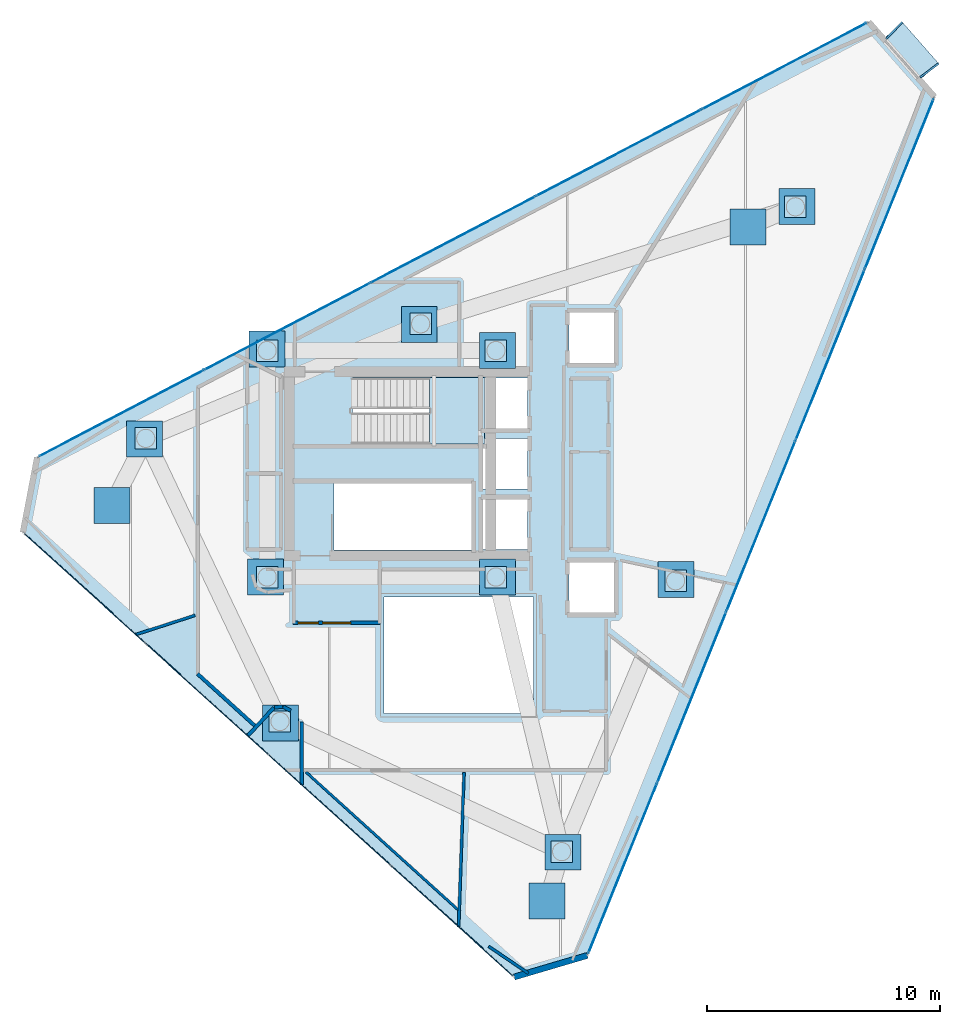
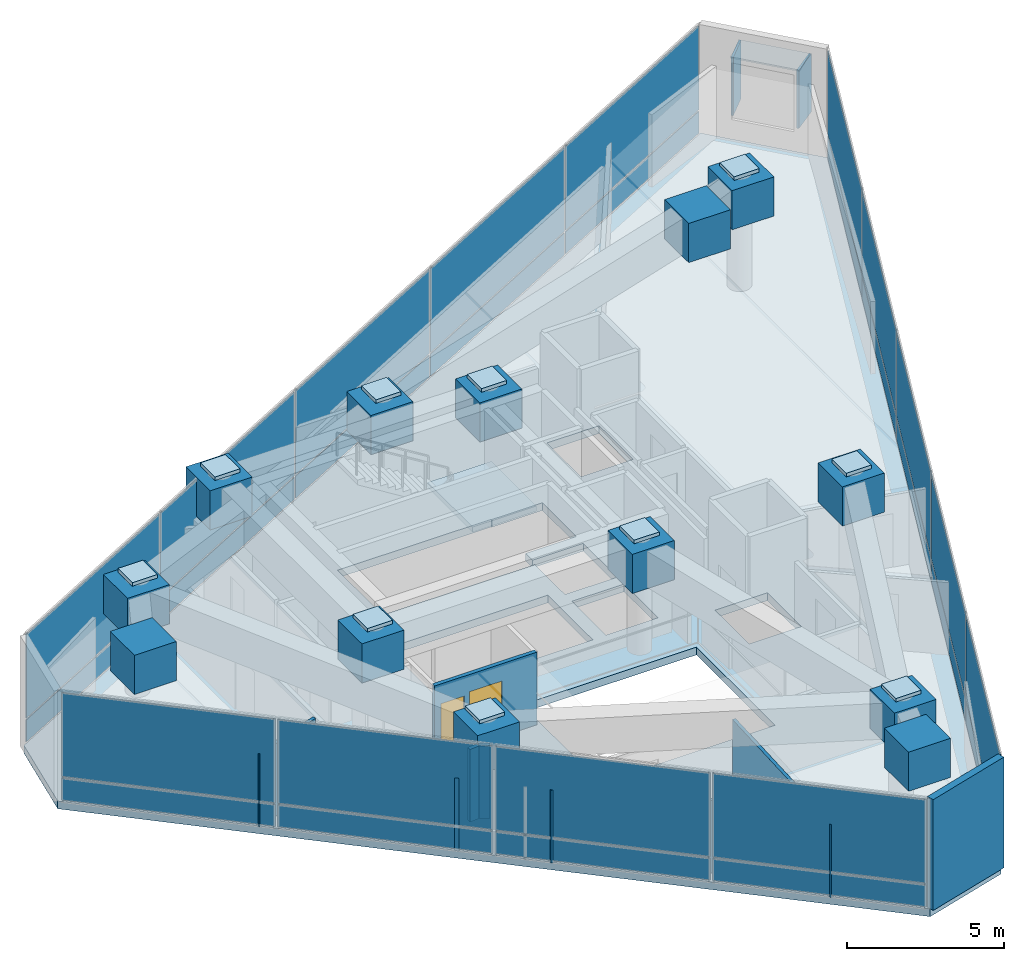
# One storey, part 13 of 17: 54 plates, 11 walls, 2 doors, 2 slabs, 2 openings, 4 elements without a shape of their own.
"""IFC4 building model written with IfcOpenShell, lengths in metres."""

from ifc_helpers import new_model, si_unit, direction, frame, frame_2d, origin, origin_2d, place, context, subcontext, project, spatial, polyline, rectangle, outline, extrude, material, layer, layer_set, type_object, element, fill, aggregate, save


model = new_model("IFC4")

# Units and contexts
model_context = context("Model", 3, precision=1e-05, world=origin(), true_north=direction((0.0, 1.0)))
body_context = subcontext(model_context, "Body", "Model", "MODEL_VIEW")
ifc_project = project(units=[si_unit("LENGTHUNIT", "METRE"), si_unit("AREAUNIT", "SQUARE_METRE"), si_unit("VOLUMEUNIT", "CUBIC_METRE"), si_unit("PLANEANGLEUNIT", "RADIAN"), si_unit("MASSUNIT", "GRAM", prefix="KILO")], contexts=[model_context])

# Site, building, storey
site_placement = place(None, origin())
site = spatial("IfcSite", under=ifc_project, at=site_placement, CompositionType="ELEMENT")
building_placement = place(site_placement, origin())
building = spatial("IfcBuilding", under=site, at=building_placement, Name="Qianvela Tower", CompositionType="ELEMENT")
storey_placement = place(building_placement, frame((0.0, 0.0, 351.800048828125)))
storey = spatial("IfcBuildingStorey", under=building, at=storey_placement, Name="L91", CompositionType="ELEMENT", Elevation=351.800048828125)

# Curtain wall, plates
ifc_material_1 = material(Name="Anodised Architectural Aluminium and Low-E Glass", Category="aluminium")
ifc_layer_1 = layer(ifc_material_1, 0.18994140625)
ifc_layer_set_1 = layer_set([ifc_layer_1], Name="Anodised Architectural Aluminium and Low-E Glass")
curtain_wall_type = type_object("IfcCurtainWallType", Name="CW-SKYLOBBY", PredefinedType="USERDEFINED", material=ifc_layer_set_1)
curtain_wall_1_placement = place(storey_placement, origin())
curtain_wall_1 = element("IfcCurtainWall", 1, at=curtain_wall_1_placement, inside=storey, type_object=curtain_wall_type, Name="L91 CW-SKYLOBBY Curtain Wall 02", ObjectType="CURTAIN_WALL_SYSTEM", PredefinedType="USERDEFINED")
ifc_material_2 = material(Name="Double-Silver Low-E Insulated Glass", Category="glass")
ifc_layer_2 = layer(ifc_material_2, 0.033935546875)
ifc_layer_set_2 = layer_set([ifc_layer_2], Name="Double-Silver Low-E Insulated Glass")
plate_type_1 = type_object("IfcPlateType", Name="CW-SKYLOBBY-PNL", PredefinedType="CURTAIN_PANEL", material=ifc_layer_set_2)
plate_1_placement = place(storey_placement, frame((50.752197265625, 45.732177734375, 0.06494140625), z_axis=(0.0, 0.0, 1.0), x_axis=(-0.885892835953, -0.463889947302, 0.0)))
plate_1 = element("IfcPlate", 2, at=plate_1_placement, type_object=plate_type_1, Name="CW-7 panel 1.1", PredefinedType="CURTAIN_PANEL", context=body_context, shape_type="SweptSolid", body=[
    extrude(rectangle(XDim=7.91455078125, YDim=0.033935546875, at=origin_2d()), origin(), (0.0, 0.0, 1.0), 0.8525390625),
])
plate_2_placement = place(storey_placement, frame((50.752197265625, 45.732177734375, 0.982421875), z_axis=(0.0, 0.0, 1.0), x_axis=(-0.885892835953, -0.463889947302, 0.0)))
plate_2 = element("IfcPlate", 3, at=plate_2_placement, type_object=plate_type_1, Name="CW-7 panel 1.2", PredefinedType="CURTAIN_PANEL", context=body_context, shape_type="SweptSolid", body=[
    extrude(rectangle(XDim=7.91455078125, YDim=0.033935546875, at=origin_2d()), origin(), (0.0, 0.0, 1.0), 3.25244140625),
])
plate_3_placement = place(storey_placement, frame((43.6630859375, 42.02001953125, 0.06494140625), z_axis=(0.0, 0.0, 1.0), x_axis=(-0.885892835953, -0.463889947302, 0.0)))
plate_3 = element("IfcPlate", 4, at=plate_3_placement, type_object=plate_type_1, Name="CW-7 panel 2.1", PredefinedType="CURTAIN_PANEL", context=body_context, shape_type="SweptSolid", body=[
    extrude(rectangle(XDim=7.94970703125, YDim=0.033935546875, at=origin_2d()), origin(), (0.0, 0.0, 1.0), 0.8525390625),
])
plate_4_placement = place(storey_placement, frame((43.6630859375, 42.02001953125, 0.982421875), z_axis=(0.0, 0.0, 1.0), x_axis=(-0.885892835953, -0.463889947302, 0.0)))
plate_4 = element("IfcPlate", 5, at=plate_4_placement, type_object=plate_type_1, Name="CW-7 panel 2.2", PredefinedType="CURTAIN_PANEL", context=body_context, shape_type="SweptSolid", body=[
    extrude(rectangle(XDim=7.94970703125, YDim=0.033935546875, at=origin_2d()), origin(), (0.0, 0.0, 1.0), 3.25244140625),
])
plate_5_placement = place(storey_placement, frame((36.55859375, 38.2998046875, 0.06494140625), z_axis=(0.0, 0.0, 1.0), x_axis=(-0.885892835953, -0.463889947302, 0.0)))
plate_5 = element("IfcPlate", 6, at=plate_5_placement, type_object=plate_type_1, Name="CW-7 panel 3.1", PredefinedType="CURTAIN_PANEL", context=body_context, shape_type="SweptSolid", body=[
    extrude(rectangle(XDim=7.94970703125, YDim=0.033935546875, at=origin_2d()), origin(), (0.0, 0.0, 1.0), 0.8525390625),
])
plate_6_placement = place(storey_placement, frame((36.55859375, 38.2998046875, 0.982421875), z_axis=(0.0, 0.0, 1.0), x_axis=(-0.885892835953, -0.463889947302, 0.0)))
plate_6 = element("IfcPlate", 7, at=plate_6_placement, type_object=plate_type_1, Name="CW-7 panel 3.2", PredefinedType="CURTAIN_PANEL", context=body_context, shape_type="SweptSolid", body=[
    extrude(rectangle(XDim=7.94970703125, YDim=0.033935546875, at=origin_2d()), origin(), (0.0, 0.0, 1.0), 3.25244140625),
])
plate_7_placement = place(storey_placement, frame((29.453857421875, 34.579345703125, 0.06494140625), z_axis=(0.0, 0.0, 1.0), x_axis=(-0.885892835953, -0.463889947302, 0.0)))
plate_7 = element("IfcPlate", 8, at=plate_7_placement, type_object=plate_type_1, Name="CW-7 panel 4.1", PredefinedType="CURTAIN_PANEL", context=body_context, shape_type="SweptSolid", body=[
    extrude(rectangle(XDim=7.94970703125, YDim=0.033935546875, at=origin_2d()), origin(), (0.0, 0.0, 1.0), 0.8525390625),
])
plate_8_placement = place(storey_placement, frame((29.453857421875, 34.579345703125, 0.982421875), z_axis=(0.0, 0.0, 1.0), x_axis=(-0.885892835953, -0.463889947302, 0.0)))
plate_8 = element("IfcPlate", 9, at=plate_8_placement, type_object=plate_type_1, Name="CW-7 panel 4.2", PredefinedType="CURTAIN_PANEL", context=body_context, shape_type="SweptSolid", body=[
    extrude(rectangle(XDim=7.94970703125, YDim=0.033935546875, at=origin_2d()), origin(), (0.0, 0.0, 1.0), 3.25244140625),
])
plate_9_placement = place(storey_placement, frame((22.364990234375, 30.867431640625, 0.06494140625), z_axis=(0.0, 0.0, 1.0), x_axis=(-0.885892835953, -0.463889947302, 0.0)))
plate_9 = element("IfcPlate", 10, at=plate_9_placement, type_object=plate_type_1, Name="CW-7 panel 5.1", PredefinedType="CURTAIN_PANEL", context=body_context, shape_type="SweptSolid", body=[
    extrude(rectangle(XDim=7.91455078125, YDim=0.033935546875, at=origin_2d()), origin(), (0.0, 0.0, 1.0), 0.8525390625),
])
plate_10_placement = place(storey_placement, frame((22.364990234375, 30.867431640625, 0.982421875), z_axis=(0.0, 0.0, 1.0), x_axis=(-0.885892835953, -0.463889947302, 0.0)))
plate_10 = element("IfcPlate", 11, at=plate_10_placement, type_object=plate_type_1, Name="CW-7 panel 5.2", PredefinedType="CURTAIN_PANEL", context=body_context, shape_type="SweptSolid", body=[
    extrude(rectangle(XDim=7.91455078125, YDim=0.033935546875, at=origin_2d()), origin(), (0.0, 0.0, 1.0), 3.25244140625),
])
aggregate(curtain_wall_1, [plate_1, plate_2, plate_3, plate_4, plate_5, plate_6, plate_7, plate_8, plate_9, plate_10])

curtain_wall_2_placement = place(storey_placement, origin())
curtain_wall_2 = element("IfcCurtainWall", 12, at=curtain_wall_2_placement, inside=storey, type_object=curtain_wall_type, Name="L91 CW-SKYLOBBY Curtain Wall 04", ObjectType="CURTAIN_WALL_SYSTEM", PredefinedType="USERDEFINED")
plate_11_placement = place(storey_placement, frame((20.812744140625, 23.34716796875, 0.06494140625), z_axis=(0.0, 0.0, 1.0), x_axis=(0.741273472885, -0.671203127523, 0.0)))
plate_11 = element("IfcPlate", 13, at=plate_11_placement, type_object=plate_type_1, Name="CW-7 panel 1.1", PredefinedType="CURTAIN_PANEL", context=body_context, shape_type="SweptSolid", body=[
    extrude(rectangle(XDim=6.966064453125, YDim=0.033935546875, at=origin_2d()), origin(), (0.0, 0.0, 1.0), 0.8525390625),
])
plate_12_placement = place(storey_placement, frame((20.812744140625, 23.34716796875, 0.982421875), z_axis=(0.0, 0.0, 1.0), x_axis=(0.741273472885, -0.671203127523, 0.0)))
plate_12 = element("IfcPlate", 14, at=plate_12_placement, type_object=plate_type_1, Name="CW-7 panel 1.2", PredefinedType="CURTAIN_PANEL", context=body_context, shape_type="SweptSolid", body=[
    extrude(rectangle(XDim=6.966064453125, YDim=0.033935546875, at=origin_2d()), origin(), (0.0, 0.0, 1.0), 3.25244140625),
])
plate_13_placement = place(storey_placement, frame((26.04150390625, 18.61279296875, 0.06494140625), z_axis=(0.0, 0.0, 1.0), x_axis=(0.741273472885, -0.671203127523, 0.0)))
plate_13 = element("IfcPlate", 15, at=plate_13_placement, type_object=plate_type_1, Name="CW-7 panel 2.1", PredefinedType="CURTAIN_PANEL", context=body_context, shape_type="SweptSolid", body=[
    extrude(rectangle(XDim=7.001220703125, YDim=0.033935546875, at=origin_2d()), origin(), (0.0, 0.0, 1.0), 0.8525390625),
])
plate_14_placement = place(storey_placement, frame((26.04150390625, 18.61279296875, 0.982421875), z_axis=(0.0, 0.0, 1.0), x_axis=(0.741273472885, -0.671203127523, 0.0)))
plate_14 = element("IfcPlate", 16, at=plate_14_placement, type_object=plate_type_1, Name="CW-7 panel 2.2", PredefinedType="CURTAIN_PANEL", context=body_context, shape_type="SweptSolid", body=[
    extrude(rectangle(XDim=7.001220703125, YDim=0.033935546875, at=origin_2d()), origin(), (0.0, 0.0, 1.0), 3.25244140625),
])
plate_15_placement = place(storey_placement, frame((31.282958984375, 13.86669921875, 0.06494140625), z_axis=(0.0, 0.0, 1.0), x_axis=(0.741273472885, -0.671203127523, 0.0)))
plate_15 = element("IfcPlate", 17, at=plate_15_placement, type_object=plate_type_1, Name="CW-7 panel 3.1", PredefinedType="CURTAIN_PANEL", context=body_context, shape_type="SweptSolid", body=[
    extrude(rectangle(XDim=7.001220703125, YDim=0.033935546875, at=origin_2d()), origin(), (0.0, 0.0, 1.0), 0.8525390625),
])
plate_16_placement = place(storey_placement, frame((31.282958984375, 13.86669921875, 0.982421875), z_axis=(0.0, 0.0, 1.0), x_axis=(0.741273472885, -0.671203127523, 0.0)))
plate_16 = element("IfcPlate", 18, at=plate_16_placement, type_object=plate_type_1, Name="CW-7 panel 3.2", PredefinedType="CURTAIN_PANEL", context=body_context, shape_type="SweptSolid", body=[
    extrude(rectangle(XDim=7.001220703125, YDim=0.033935546875, at=origin_2d()), origin(), (0.0, 0.0, 1.0), 3.25244140625),
])
plate_17_placement = place(storey_placement, frame((36.51171875, 9.13232421875, 0.06494140625), z_axis=(0.0, 0.0, 1.0), x_axis=(0.741273472885, -0.671203127523, 0.0)))
plate_17 = element("IfcPlate", 19, at=plate_17_placement, type_object=plate_type_1, Name="CW-7 panel 4.1", PredefinedType="CURTAIN_PANEL", context=body_context, shape_type="SweptSolid", body=[
    extrude(rectangle(XDim=6.966064453125, YDim=0.033935546875, at=origin_2d()), origin(), (0.0, 0.0, 1.0), 0.8525390625),
])
plate_18_placement = place(storey_placement, frame((36.51171875, 9.13232421875, 0.982421875), z_axis=(0.0, 0.0, 1.0), x_axis=(0.741273472885, -0.671203127523, 0.0)))
plate_18 = element("IfcPlate", 20, at=plate_18_placement, type_object=plate_type_1, Name="CW-7 panel 4.2", PredefinedType="CURTAIN_PANEL", context=body_context, shape_type="SweptSolid", body=[
    extrude(rectangle(XDim=6.966064453125, YDim=0.033935546875, at=origin_2d()), origin(), (0.0, 0.0, 1.0), 3.25244140625),
])
aggregate(curtain_wall_2, [plate_11, plate_12, plate_13, plate_14, plate_15, plate_16, plate_17, plate_18])

curtain_wall_3_placement = place(storey_placement, origin())
curtain_wall_3 = element("IfcCurtainWall", 21, at=curtain_wall_3_placement, inside=storey, type_object=curtain_wall_type, Name="L91 CW-SKYLOBBY Curtain Wall 06", ObjectType="CURTAIN_WALL_SYSTEM", PredefinedType="USERDEFINED")
plate_19_placement = place(storey_placement, frame((43.8251953125, 11.370361328125, 0.06494140625), z_axis=(0.0, 0.0, 1.0), x_axis=(0.374834470756, 0.927091753568, 0.0)))
plate_19 = element("IfcPlate", 22, at=plate_19_placement, type_object=plate_type_1, Name="CW-7 panel 1.1", PredefinedType="CURTAIN_PANEL", context=body_context, shape_type="SweptSolid", body=[
    extrude(rectangle(XDim=7.808349609375, YDim=0.033935546875, at=origin_2d()), origin(), (0.0, 0.0, 1.0), 0.8525390625),
])
plate_20_placement = place(storey_placement, frame((43.8251953125, 11.370361328125, 0.982421875), z_axis=(0.0, 0.0, 1.0), x_axis=(0.374834470756, 0.927091753568, 0.0)))
plate_20 = element("IfcPlate", 23, at=plate_20_placement, type_object=plate_type_1, Name="CW-7 panel 1.2", PredefinedType="CURTAIN_PANEL", context=body_context, shape_type="SweptSolid", body=[
    extrude(rectangle(XDim=7.808349609375, YDim=0.033935546875, at=origin_2d()), origin(), (0.0, 0.0, 1.0), 3.25244140625),
])
plate_21_placement = place(storey_placement, frame((46.784912109375, 18.6904296875, 0.06494140625), z_axis=(0.0, 0.0, 1.0), x_axis=(0.374834470756, 0.927091753568, 0.0)))
plate_21 = element("IfcPlate", 24, at=plate_21_placement, type_object=plate_type_1, Name="CW-7 panel 2.1", PredefinedType="CURTAIN_PANEL", context=body_context, shape_type="SweptSolid", body=[
    extrude(rectangle(XDim=7.843505859375, YDim=0.033935546875, at=origin_2d()), origin(), (0.0, 0.0, 1.0), 0.8525390625),
])
plate_22_placement = place(storey_placement, frame((46.784912109375, 18.6904296875, 0.982421875), z_axis=(0.0, 0.0, 1.0), x_axis=(0.374834470756, 0.927091753568, 0.0)))
plate_22 = element("IfcPlate", 25, at=plate_22_placement, type_object=plate_type_1, Name="CW-7 panel 2.2", PredefinedType="CURTAIN_PANEL", context=body_context, shape_type="SweptSolid", body=[
    extrude(rectangle(XDim=7.843505859375, YDim=0.033935546875, at=origin_2d()), origin(), (0.0, 0.0, 1.0), 3.25244140625),
])
plate_23_placement = place(storey_placement, frame((49.7509765625, 26.02685546875, 0.06494140625), z_axis=(0.0, 0.0, 1.0), x_axis=(0.374834470756, 0.927091753568, 0.0)))
plate_23 = element("IfcPlate", 26, at=plate_23_placement, type_object=plate_type_1, Name="CW-7 panel 3.1", PredefinedType="CURTAIN_PANEL", context=body_context, shape_type="SweptSolid", body=[
    extrude(rectangle(XDim=7.843505859375, YDim=0.033935546875, at=origin_2d()), origin(), (0.0, 0.0, 1.0), 0.8525390625),
])
plate_24_placement = place(storey_placement, frame((49.7509765625, 26.02685546875, 0.982421875), z_axis=(0.0, 0.0, 1.0), x_axis=(0.374834470756, 0.927091753568, 0.0)))
plate_24 = element("IfcPlate", 27, at=plate_24_placement, type_object=plate_type_1, Name="CW-7 panel 3.2", PredefinedType="CURTAIN_PANEL", context=body_context, shape_type="SweptSolid", body=[
    extrude(rectangle(XDim=7.843505859375, YDim=0.033935546875, at=origin_2d()), origin(), (0.0, 0.0, 1.0), 3.25244140625),
])
plate_25_placement = place(storey_placement, frame((52.71728515625, 33.363525390625, 0.06494140625), z_axis=(0.0, 0.0, 1.0), x_axis=(0.374834470756, 0.927091753568, 0.0)))
plate_25 = element("IfcPlate", 28, at=plate_25_placement, type_object=plate_type_1, Name="CW-7 panel 4.1", PredefinedType="CURTAIN_PANEL", context=body_context, shape_type="SweptSolid", body=[
    extrude(rectangle(XDim=7.843505859375, YDim=0.033935546875, at=origin_2d()), origin(), (0.0, 0.0, 1.0), 0.8525390625),
])
plate_26_placement = place(storey_placement, frame((52.71728515625, 33.363525390625, 0.982421875), z_axis=(0.0, 0.0, 1.0), x_axis=(0.374834470756, 0.927091753568, 0.0)))
plate_26 = element("IfcPlate", 29, at=plate_26_placement, type_object=plate_type_1, Name="CW-7 panel 4.2", PredefinedType="CURTAIN_PANEL", context=body_context, shape_type="SweptSolid", body=[
    extrude(rectangle(XDim=7.843505859375, YDim=0.033935546875, at=origin_2d()), origin(), (0.0, 0.0, 1.0), 3.25244140625),
])
plate_27_placement = place(storey_placement, frame((55.677001953125, 40.68359375, 0.06494140625), z_axis=(0.0, 0.0, 1.0), x_axis=(0.374834470756, 0.927091753568, 0.0)))
plate_27 = element("IfcPlate", 30, at=plate_27_placement, type_object=plate_type_1, Name="CW-7 panel 5.1", PredefinedType="CURTAIN_PANEL", context=body_context, shape_type="SweptSolid", body=[
    extrude(rectangle(XDim=7.808349609375, YDim=0.033935546875, at=origin_2d()), origin(), (0.0, 0.0, 1.0), 0.8525390625),
])
plate_28_placement = place(storey_placement, frame((55.677001953125, 40.68359375, 0.982421875), z_axis=(0.0, 0.0, 1.0), x_axis=(0.374834470756, 0.927091753568, 0.0)))
plate_28 = element("IfcPlate", 31, at=plate_28_placement, type_object=plate_type_1, Name="CW-7 panel 5.2", PredefinedType="CURTAIN_PANEL", context=body_context, shape_type="SweptSolid", body=[
    extrude(rectangle(XDim=7.808349609375, YDim=0.033935546875, at=origin_2d()), origin(), (0.0, 0.0, 1.0), 3.25244140625),
])
aggregate(curtain_wall_3, [plate_19, plate_20, plate_21, plate_22, plate_23, plate_24, plate_25, plate_26, plate_27, plate_28])

# Plates
ifc_material_3 = material(Name="Steel Q420GJC", Category="steel")
ifc_layer_3 = layer(ifc_material_3, 0.139892578125)
ifc_layer_set_3 = layer_set([ifc_layer_3], Name="Steel Q420GJC")
plate_type_2 = type_object("IfcPlateType", Name="PT-GUSSET-NODE-140", PredefinedType="USERDEFINED", material=ifc_layer_set_3)
for number, where, z_axis, x_axis, name in (
    (32, (28.60009765625, 33.550048828125, 4.4951171875), (0.0, 0.0, 1.0), (1.0, 0.0, 0.0), "L91 Node Gusset Plate TOP"),
    (33, (28.60009765625, 23.85009765625, 4.4951171875), (0.0, 0.0, 1.0), (1.0, 0.0, 0.0), "L91 Node Gusset Plate TOP"),
    (34, (38.39990234375, 33.550048828125, 4.4951171875), (0.0, 0.0, 1.0), (1.0, 0.0, 0.0), "L91 Node Gusset Plate TOP"),
    (35, (38.39990234375, 23.85009765625, 4.4951171875), (0.0, 0.0, 1.0), (1.0, 0.0, 0.0), "L91 Node Gusset Plate TOP"),
    (36, (51.22705078125, 39.7080078125, 4.4951171875), (0.0, 0.0, 1.0), (1.0, 0.0, 0.0), "L91 Node Gusset Plate TOP"),
    (37, (35.177001953125, 34.695068359375, 4.4951171875), (0.0, 0.0, 1.0), (1.0, 0.0, 0.0), "L91 Node Gusset Plate TOP"),
    (38, (23.39990234375, 29.7890625, 4.4951171875), (0.0, 0.0, 1.0), (1.0, 0.0, 0.0), "L91 Node Gusset Plate TOP"),
    (39, (29.14990234375, 17.662109375, 4.4951171875), (0.0, 0.0, 1.0), (1.0, 0.0, 0.0), "L91 Node Gusset Plate TOP"),
    (40, (41.217041015625, 12.087890625, 4.4951171875), (0.0, 0.0, 1.0), (1.0, 0.0, 0.0), "L91 Node Gusset Plate TOP"),
    (41, (46.094970703125, 23.69091796875, 4.4951171875), (0.0, 0.0, 1.0), (1.0, 0.0, 0.0), "L91 Node Gusset Plate TOP"),
):
    element("IfcPlate", number, at=place(storey_placement, frame(where, z_axis=z_axis, x_axis=x_axis)), inside=storey, type_object=plate_type_2, Name=name, ObjectType="GUSSET_PLATE", PredefinedType="USERDEFINED", context=body_context, shape_type="SweptSolid", body=[
        extrude(rectangle(XDim=0.919921875, YDim=0.919921875, at=origin_2d()), origin(), (0.0, 0.0, 1.0), 0.139892578125),
    ])
for number, where, z_axis, x_axis, name in (
    (42, (28.534912109375, 23.85009765625, 2.837890625), (0.0, 0.0, 1.0), (1.0, 0.0, 0.0), "L91 Node Gusset Plate A"),
    (43, (38.465087890625, 23.85009765625, 2.837890625), (0.0, 0.0, 1.0), (1.0, 0.0, 0.0), "L91 Node Gusset Plate B"),
    (44, (28.60009765625, 33.614990234375, 2.837890625), (0.0, 0.0, 1.0), (1.0, 0.0, 0.0), "L91 Node Gusset Plate A"),
    (45, (38.465087890625, 33.550048828125, 2.837890625), (0.0, 0.0, 1.0), (1.0, 0.0, 0.0), "L91 Node Gusset Plate B"),
    (46, (35.114990234375, 34.675537109375, 2.837890625), (0.0, 0.0, 1.0), (1.0, 0.0, 0.0), "L91 Node Gusset Plate A"),
    (47, (51.2890625, 39.727294921875, 2.837890625), (0.0, 0.0, 1.0), (1.0, 0.0, 0.0), "L91 Node Gusset Plate B"),
    (48, (23.340087890625, 29.763916015625, 2.837890625), (0.0, 0.0, 1.0), (1.0, 0.0, 0.0), "L91 Node Gusset Plate B"),
    (49, (29.177734375, 17.603271484375, 2.837890625), (0.0, 0.0, 1.0), (1.0, 0.0, 0.0), "L91 Node Gusset Plate B"),
    (50, (41.27587890625, 12.060791015625, 2.837890625), (0.0, 0.0, 1.0), (1.0, 0.0, 0.0), "L91 Node Gusset Plate B"),
    (51, (46.1201171875, 23.7509765625, 2.837890625), (0.0, 0.0, 1.0), (1.0, 0.0, 0.0), "L91 Node Gusset Plate B"),
    (52, (49.188232421875, 38.841552734375, 2.837890625), (0.0, 0.0, 1.0), (1.0, 0.0, 0.0), "L91 Node Gusset Plate B"),
    (53, (40.58544921875, 9.964599609375, 2.837890625), (0.0, 0.0, 1.0), (1.0, 0.0, 0.0), "L91 Node Gusset Plate B"),
    (54, (21.95166015625, 26.91796875, 2.837890625), (0.0, 0.0, 1.0), (1.0, 0.0, 0.0), "L91 Node Gusset Plate B"),
):
    element("IfcPlate", number, at=place(storey_placement, frame(where, z_axis=z_axis, x_axis=x_axis)), inside=storey, type_object=plate_type_2, Name=name, ObjectType="GUSSET_PLATE", PredefinedType="USERDEFINED", context=body_context, shape_type="SweptSolid", body=[
        extrude(rectangle(XDim=1.5400390625, YDim=1.5400390625, at=origin_2d()), origin(), (0.0, 0.0, 1.0), 1.52001953125),
    ])

# Stair, slab
ifc_material_4 = material(Name="Concrete C40", Category="concrete")
stair_type = type_object("IfcStairType", Name="ST-DOGLEG-1350-R173-N26", PredefinedType="HALF_TURN_STAIR", material=ifc_material_4)
stair_placement = place(storey_placement, origin())
stair = element("IfcStair", 55, at=stair_placement, inside=storey, type_object=stair_type, Name="L91 Smoke-Proof Core Stair ST-1", PredefinedType="HALF_TURN_STAIR")
ifc_material_5 = material(Name="Concrete C40", Category="concrete")
ifc_layer_4 = layer(ifc_material_5, 0.199951171875)
ifc_layer_set_4 = layer_set([ifc_layer_4], Name="Concrete C40")
slab_type_1 = type_object("IfcSlabType", Name="SL-STAIR-LANDING-200", PredefinedType="LANDING", material=ifc_layer_set_4)
slab_1_placement = place(storey_placement, frame((0.0, 0.0, 2.050048828125)))
slab_1 = element("IfcSlab", 56, at=slab_1_placement, type_object=slab_type_1, Name="ST-1 landing 1", PredefinedType="LANDING", context=body_context, shape_type="SweptSolid", body=[
    extrude(outline(polyline([(35.56005859375, 29.5400390625), (37.89990234375, 29.5400390625), (37.89990234375, 32.39990234375), (35.56005859375, 32.39990234375), (35.56005859375, 29.5400390625)])), origin(), (0.0, 0.0, 1.0), 0.199951171875),
])
aggregate(stair, [slab_1])

# Slab
ifc_material_6 = material(Name="Concrete C40", Category="concrete")
ifc_layer_5 = layer(ifc_material_6, 0.300048828125)
ifc_layer_set_5 = layer_set([ifc_layer_5], Name="Concrete C40")
slab_type_2 = type_object("IfcSlabType", Name="SL-TRANS-300", PredefinedType="FLOOR", material=ifc_layer_set_5)
slab_2_placement = place(storey_placement, frame((0.0, 0.0, -0.300048828125)))
element("IfcSlab", 57, at=slab_2_placement, inside=storey, type_object=slab_type_2, Name="L91 Composite Structural Floor Slab", PredefinedType="FLOOR", context=body_context, shape_type="SweptSolid", body=[
    extrude(outline(polyline([(57.185302734375, 44.41455078125), (54.3642578125, 47.62353515625), (18.752685546875, 28.975830078125), (18.141845703125, 25.765625), (39.1826171875, 6.7138671875), (42.31689453125, 7.639404296875), (57.185302734375, 44.41455078125)]), holes=[polyline([(40.0, 23.0), (33.60009765625, 23.0), (33.60009765625, 18.0), (40.0, 18.0), (40.0, 23.0)]), polyline([(43.4599609375, 24.47998046875), (41.5400390625, 24.47998046875), (41.5400390625, 22.320068359375), (43.4599609375, 22.320068359375), (43.4599609375, 24.47998046875)]), polyline([(39.760009765625, 27.179931640625), (37.840087890625, 27.179931640625), (37.840087890625, 25.02001953125), (39.760009765625, 25.02001953125), (39.760009765625, 27.179931640625)]), polyline([(37.35009765625, 27.860107421875), (31.469970703125, 27.860107421875), (31.469970703125, 25.0), (37.35009765625, 25.0), (37.35009765625, 27.860107421875)]), polyline([(39.760009765625, 27.6201171875), (39.760009765625, 29.780029296875), (37.89990234375, 29.780029296875), (37.89990234375, 30.219970703125), (39.760009765625, 30.219970703125), (39.760009765625, 32.3798828125), (37.89990234375, 32.3798828125), (37.89990234375, 32.39990234375), (32.25, 32.39990234375), (32.25, 29.5400390625), (37.840087890625, 29.5400390625), (37.840087890625, 27.6201171875), (39.760009765625, 27.6201171875)]), polyline([(43.4599609375, 35.179931640625), (41.5400390625, 35.179931640625), (41.5400390625, 33.02001953125), (43.4599609375, 33.02001953125), (43.4599609375, 35.179931640625)])]), origin(), (0.0, 0.0, 1.0), 0.300048828125),
])

# Plates
ifc_material_7 = material(Name="Vitrified Architectural Terracotta Panel", Category="masonry")
ifc_layer_6 = layer(ifc_material_7, 0.074951171875)
ifc_layer_set_6 = layer_set([ifc_layer_6], Name="Vitrified Architectural Terracotta Panel")
plate_type_3 = type_object("IfcPlateType", Name="TERRACOTTA-SUNSHADE-HOOD-FOLD-D", PredefinedType="USERDEFINED", material=ifc_layer_set_6)
plate_29_placement = place(storey_placement, frame((56.214111328125, 46.4052734375, 3.059814453125), z_axis=(0.0, 0.0, 1.0), x_axis=(-0.660256003557, 0.751040617921, 0.0)))
element("IfcPlate", 58, at=plate_29_placement, inside=storey, type_object=plate_type_3, Name="L91 Terracotta Sunshade Hood FOLD-D", ObjectType="SUNSHADE", PredefinedType="USERDEFINED", context=body_context, shape_type="SweptSolid", body=[
    extrude(rectangle(XDim=2.340087890625, YDim=0.989990234375, at=origin_2d()), origin(), (0.0, 0.0, 1.0), 0.06005859375),
])
ifc_material_8 = material(Name="Vitrified Architectural Terracotta Side Fin Panel", Category="masonry")
ifc_layer_7 = layer(ifc_material_8, 0.080078125)
ifc_layer_set_7 = layer_set([ifc_layer_7], Name="Vitrified Architectural Terracotta Side Fin Panel")
plate_type_4 = type_object("IfcPlateType", Name="TERRACOTTA-SUNSHADE-STRUT-FOLD-D", PredefinedType="USERDEFINED", material=ifc_layer_set_7)
for number, where, z_axis, x_axis, name in (
    (59, (56.966796875, 45.549072265625, 0.85009765625), (0.0, 0.0, 1.0), (-0.602781935491, 0.797905970805, 0.0), "L91 Terracotta Sunshade Side Fin HL FOLD-D"),
    (60, (55.46142578125, 47.261474609375, 0.85009765625), (0.0, 0.0, 1.0), (-0.71409890803, 0.700044819673, 0.0), "L91 Terracotta Sunshade Side Fin HR FOLD-D"),
):
    element("IfcPlate", number, at=place(storey_placement, frame(where, z_axis=z_axis, x_axis=x_axis)), inside=storey, type_object=plate_type_4, Name=name, ObjectType="SUNSHADE", PredefinedType="USERDEFINED", context=body_context, shape_type="SweptSolid", body=[
        extrude(rectangle(XDim=0.080078125, YDim=1.010009765625, at=origin_2d()), origin(), (0.0, 0.0, 1.0), 2.260009765625),
    ])

# Wall
ifc_material_9 = material(Name="Terracotta Cladding on Concrete C40", Category="masonry")
ifc_layer_8 = layer(ifc_material_9, 0.260009765625)
ifc_layer_set_8 = layer_set([ifc_layer_8], Name="Terracotta Cladding on Concrete C40")
wall_type_1 = type_object("IfcWallType", Name="TERRACOTTA-WALL-260", PredefinedType="SOLIDWALL", material=ifc_layer_set_8)
wall_1_placement = place(storey_placement, frame((39.1826171875, 6.7138671875, 0.0), z_axis=(0.0, 0.0, 1.0), x_axis=(0.959059220101, 0.283205600826, 0.0)))
element("IfcWall", 61, at=wall_1_placement, inside=storey, type_object=wall_type_1, Name="L91 Terracotta Chamfer Facet Wall 5", PredefinedType="SOLIDWALL", context=body_context, shape_type="SweptSolid", body=[
    extrude(rectangle(XDim=3.26806640625, YDim=0.260009765625, at=frame_2d((1.634033203125, 0.0))), origin(), (0.0, 0.0, 1.0), 4.300048828125),
])

# Wall, openings, doors
ifc_material_10 = material(Name="Fire-Rated Acoustic Gypsum Board")
ifc_layer_9 = layer(ifc_material_10, 0.14990234375)
ifc_layer_set_9 = layer_set([ifc_layer_9], Name="Fire-Rated Acoustic Gypsum Board")
wall_type_2 = type_object("IfcWallType", Name="WT-CORR-150", PredefinedType="PARTITIONING", material=ifc_layer_set_9)
wall_2_placement = place(storey_placement, frame((33.449951171875, 21.881103515625, 0.0), z_axis=(0.0, 0.0, 1.0), x_axis=(-1.0, 0.0, 0.0)))
wall_2 = element("IfcWall", 62, at=wall_2_placement, inside=storey, type_object=wall_type_2, Name="L91 Partition 6", PredefinedType="PARTITIONING", context=body_context, shape_type="SweptSolid", body=[
    extrude(rectangle(XDim=3.75, YDim=0.14990234375, at=frame_2d((1.875, 0.0))), origin(), (0.0, 0.0, 1.0), 2.820068359375),
])
opening_1_placement = place(wall_2_placement, frame((1.27490234375, 0.0, 0.0)))
opening_1 = element("IfcOpeningElement", 63, at=opening_1_placement, cuts=wall_2, Name="Opening D-LB1", PredefinedType="OPENING", context=body_context, shape_type="SweptSolid", body=[
    extrude(rectangle(XDim=1.199951171875, YDim=2.14990234375, at=frame_2d((0.60009765625, 1.074951171875))), frame((0.0, 0.0849609375, 0.0), z_axis=(0.0, -1.0, 0.0), x_axis=(1.0, 0.0, 0.0)), (0.0, 0.0, 1.0), 0.169921875),
])
opening_2_placement = place(wall_2_placement, frame((2.659912109375, 0.0, 0.0)))
opening_2 = element("IfcOpeningElement", 64, at=opening_2_placement, cuts=wall_2, Name="Opening D-LB2", PredefinedType="OPENING", context=body_context, shape_type="SweptSolid", body=[
    extrude(rectangle(XDim=0.860107421875, YDim=2.050048828125, at=frame_2d((0.43017578125, 1.02490234375))), frame((0.0, 0.0849609375, 0.0), z_axis=(0.0, -1.0, 0.0), x_axis=(1.0, 0.0, 0.0)), (0.0, 0.0, 1.0), 0.169921875),
])
ifc_material_11 = material(Name="Glazed Fire-Rated Steel Frame", Category="steel")
door_type_1 = type_object("IfcDoorType", Name="DT-LOBBY-FD90", OperationType="NOTDEFINED", PredefinedType="DOOR", material=ifc_material_11)
door_1_placement = place(opening_1_placement, origin())
door_1 = element("IfcDoor", 65, at=door_1_placement, inside=storey, type_object=door_type_1, Name="L91 Door L91 Firefighting Lobby South to L91 Sky Lobby Gallery Corridor", OperationType="SINGLE_SWING_LEFT", OverallHeight=2.14990234375, OverallWidth=1.199951171875, PredefinedType="DOOR", context=body_context, shape_type="SweptSolid", body=[
    extrude(rectangle(XDim=1.199951171875, YDim=2.14990234375, at=frame_2d((0.60009765625, 1.074951171875))), frame((0.0, 0.02490234375, 0.0), z_axis=(0.0, -1.0, 0.0), x_axis=(1.0, 0.0, 0.0)), (0.0, 0.0, 1.0), 0.050048828125),
])
fill(opening_1, door_1)
ifc_material_12 = material(Name="Insulated Steel Fire Door Q355B", Category="steel")
door_type_2 = type_object("IfcDoorType", Name="DT-LOBBY-FD90-860", OperationType="NOTDEFINED", PredefinedType="DOOR", material=ifc_material_12)
door_2_placement = place(opening_2_placement, origin())
door_2 = element("IfcDoor", 66, at=door_2_placement, inside=storey, type_object=door_type_2, Name="L91 Door L91 Firefighting Lobby South to L91 Sky Lobby Gallery Corridor", OperationType="SINGLE_SWING_LEFT", OverallHeight=2.050048828125, OverallWidth=0.860107421875, PredefinedType="DOOR", context=body_context, shape_type="SweptSolid", body=[
    extrude(rectangle(XDim=0.860107421875, YDim=2.050048828125, at=frame_2d((0.43017578125, 1.02490234375))), frame((0.0, 0.02490234375, 0.0), z_axis=(0.0, -1.0, 0.0), x_axis=(1.0, 0.0, 0.0)), (0.0, 0.0, 1.0), 0.050048828125),
])
fill(opening_2, door_2)

# Walls
wall_3_placement = place(storey_placement, frame((30.0810546875, 14.93505859375, 0.0), z_axis=(0.0, 0.0, 1.0), x_axis=(0.0, 1.0, 0.0)))
element("IfcWall", 67, at=wall_3_placement, inside=storey, type_object=wall_type_2, Name="L91 Partition 61", PredefinedType="PARTITIONING", context=body_context, shape_type="SweptSolid", body=[
    extrude(rectangle(XDim=2.71484375, YDim=0.14990234375, at=frame_2d((1.357421875, 0.0))), origin(), (0.0, 0.0, 1.0), 2.820068359375),
])
for number, where, z_axis, x_axis, name in (
    (68, (29.60302734375, 18.127685546875, 0.0), (0.0, 0.0, 1.0), (-0.881883040816, 0.471468241052, 0.0), "L91 Partition 62"),
    (69, (29.267822265625, 18.30078125, 0.0), (0.0, 0.0, 1.0), (-0.995216892722, -0.09769000174, 0.0), "L91 Partition 63"),
):
    element("IfcWall", number, at=place(storey_placement, frame(where, z_axis=z_axis, x_axis=x_axis)), inside=storey, type_object=wall_type_2, Name=name, PredefinedType="PARTITIONING", context=body_context, shape_type="SweptSolid", body=[
        extrude(rectangle(XDim=0.35986328125, YDim=0.14990234375, at=frame_2d((0.179931640625, 0.0))), origin(), (0.0, 0.0, 1.0), 2.820068359375),
    ])
wall_4_placement = place(storey_placement, frame((28.889892578125, 18.255859375, 0.0), z_axis=(0.0, 0.0, 1.0), x_axis=(-0.680260130559, -0.732970773478, 0.0)))
element("IfcWall", 70, at=wall_4_placement, inside=storey, type_object=wall_type_2, Name="L91 Partition 64", PredefinedType="PARTITIONING", context=body_context, shape_type="SweptSolid", body=[
    extrude(rectangle(XDim=1.66748046875, YDim=0.14990234375, at=frame_2d((0.833740234375, 0.0))), origin(), (0.0, 0.0, 1.0), 2.820068359375),
])
wall_5_placement = place(storey_placement, frame((28.149658203125, 17.413330078125, 0.0), z_axis=(0.0, 0.0, 1.0), x_axis=(-0.741269538487, 0.671207472627, 0.0)))
element("IfcWall", 71, at=wall_5_placement, inside=storey, type_object=wall_type_2, Name="L91 Partition 65", PredefinedType="PARTITIONING", context=body_context, shape_type="SweptSolid", body=[
    extrude(rectangle(XDim=3.411376953125, YDim=0.14990234375, at=frame_2d((1.70556640625, 0.0))), origin(), (0.0, 0.0, 1.0), 2.820068359375),
])
ifc_material_13 = material(Name="Lightweight Gypsum Room Partition")
ifc_layer_10 = layer(ifc_material_13, 0.10498046875)
ifc_layer_set_10 = layer_set([ifc_layer_10], Name="Lightweight Gypsum Room Partition")
wall_type_3 = type_object("IfcWallType", Name="WT-PART-105", PredefinedType="PARTITIONING", material=ifc_layer_set_10)
wall_6_placement = place(storey_placement, frame((36.874267578125, 9.513427734375, 0.0), z_axis=(0.0, 0.0, 1.0), x_axis=(-0.74127537666, 0.671201024997, 0.0)))
element("IfcWall", 72, at=wall_6_placement, inside=storey, type_object=wall_type_3, Name="L91 Partition 66", PredefinedType="PARTITIONING", context=body_context, shape_type="SweptSolid", body=[
    extrude(rectangle(XDim=8.90869140625, YDim=0.10498046875, at=frame_2d((4.454345703125, 0.0))), origin(), (0.0, 0.0, 1.0), 2.820068359375),
])
ifc_material_14 = material(Name="Insulated Gypsum Stud Partition")
ifc_layer_11 = layer(ifc_material_14, 0.1201171875)
ifc_layer_set_11 = layer_set([ifc_layer_11], Name="Insulated Gypsum Stud Partition")
wall_type_4 = type_object("IfcWallType", Name="WT-PART-120", PredefinedType="PARTITIONING", material=ifc_layer_set_11)
wall_7_placement = place(storey_placement, frame((37.03125, 15.47119140625, 0.0), z_axis=(0.0, 0.0, 1.0), x_axis=(-0.034900180344, -0.999390803146, 0.0)))
element("IfcWall", 73, at=wall_7_placement, inside=storey, type_object=wall_type_4, Name="L91 Partition 68", PredefinedType="PARTITIONING", context=body_context, shape_type="SweptSolid", body=[
    extrude(rectangle(XDim=6.624755859375, YDim=0.1201171875, at=frame_2d((3.3125, 0.0))), origin(), (0.0, 0.0, 1.0), 2.820068359375),
])
wall_8_placement = place(storey_placement, frame((39.788330078125, 6.875, 0.0), z_axis=(0.0, 0.0, 1.0), x_axis=(-0.827330074337, 0.561716074274, 0.0)))
element("IfcWall", 74, at=wall_8_placement, inside=storey, type_object=wall_type_4, Name="L91 Partition 74 seg 1", PredefinedType="PARTITIONING", context=body_context, shape_type="SweptSolid", body=[
    extrude(rectangle(XDim=2.05810546875, YDim=0.1201171875, at=frame_2d((1.029052734375, 0.0))), origin(), (0.0, 0.0, 1.0), 2.820068359375),
])
wall_9_placement = place(storey_placement, frame((25.510498046875, 22.21044921875, 0.0), z_axis=(0.0, 0.0, 1.0), x_axis=(-0.951084194761, -0.308931795831, 0.0)))
element("IfcWall", 75, at=wall_9_placement, inside=storey, type_object=wall_type_4, Name="L91 Partition 98", PredefinedType="PARTITIONING", context=body_context, shape_type="SweptSolid", body=[
    extrude(rectangle(XDim=2.683837890625, YDim=0.1201171875, at=frame_2d((1.341796875, 0.0))), origin(), (0.0, 0.0, 1.0), 2.820068359375),
])

save(model, "model.ifc")
